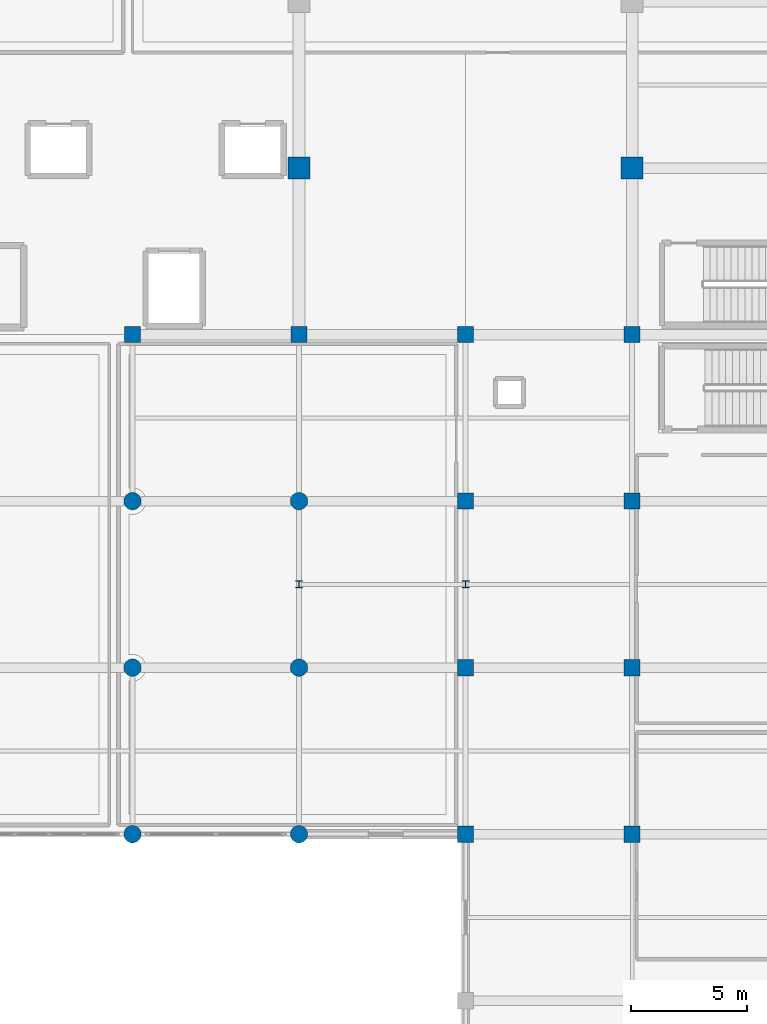
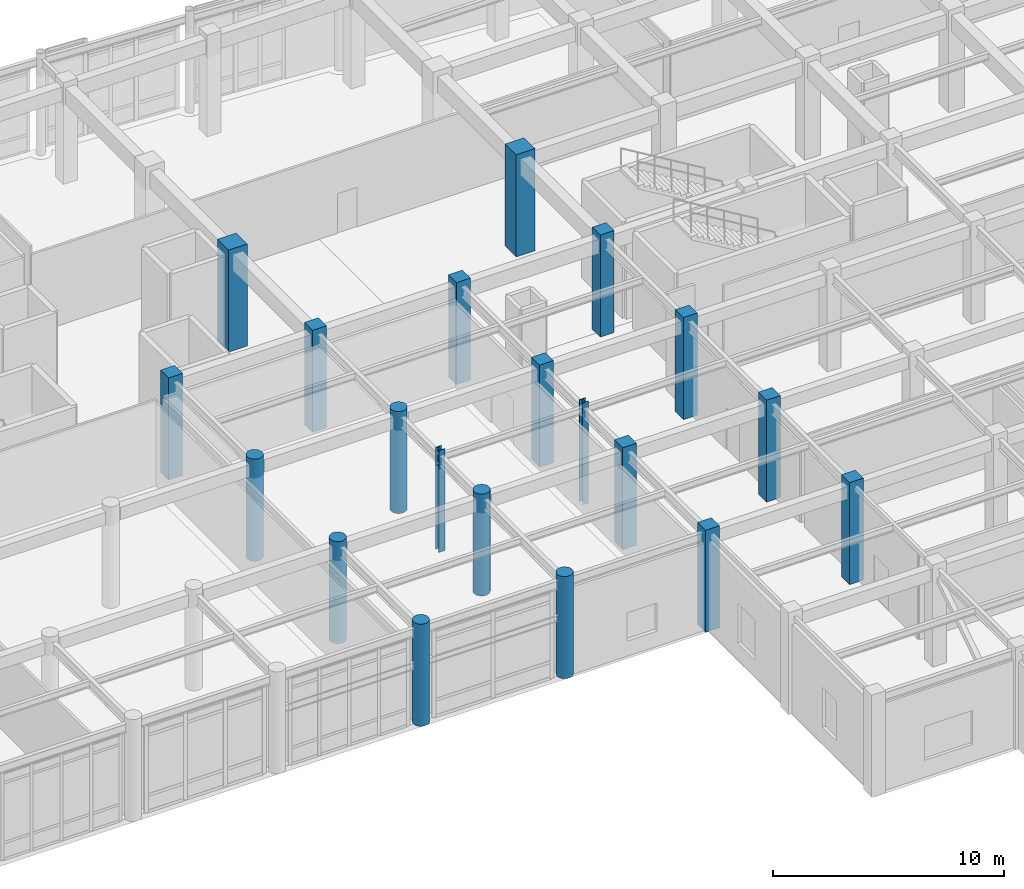
# One storey, part 10 of 102: 20 columns.
"""IFC4 building model written with IfcOpenShell, lengths in metres."""

from ifc_helpers import new_model, si_unit, direction, frame, origin, origin_2d, place, context, subcontext, project, spatial, rectangle, circle, i_section, extrude, material, material_profile, profile_set, type_object, element, save


model = new_model("IFC4")

# Units and contexts
model_context = context("Model", 3, precision=1e-05, world=origin(), true_north=direction((0.0, 1.0)))
body_context = subcontext(model_context, "Body", "Model", "MODEL_VIEW")
ifc_project = project(units=[si_unit("LENGTHUNIT", "METRE"), si_unit("AREAUNIT", "SQUARE_METRE"), si_unit("VOLUMEUNIT", "CUBIC_METRE"), si_unit("PLANEANGLEUNIT", "RADIAN"), si_unit("MASSUNIT", "GRAM", prefix="KILO")], contexts=[model_context])

# Site, building, storey
site_placement = place(None, origin())
site = spatial("IfcSite", under=ifc_project, at=site_placement, CompositionType="ELEMENT")
building_placement = place(site_placement, origin())
building = spatial("IfcBuilding", under=site, at=building_placement, Name="Carrowvane Square Congress Hotel", CompositionType="ELEMENT")
storey_placement = place(building_placement, origin())
storey = spatial("IfcBuildingStorey", under=building, at=storey_placement, Name="L00", CompositionType="ELEMENT", Elevation=0.0)

# Columns
ifc_material_1 = material(Name="Concrete C40/50", Category="concrete")
ifc_material_profile_1 = material_profile(ifc_material_1, rectangle(XDim=0.699951171875, YDim=0.699951171875, at=origin_2d()), Name="RC 700x700")
ifc_profile_set_1 = profile_set([ifc_material_profile_1], Name="Concrete C40/50")
column_type_1 = type_object("IfcColumnType", Name="COL-RC-700", PredefinedType="COLUMN", material=ifc_profile_set_1)
for number, where, z_axis, x_axis, name in (
    (1, (112.39990234375, 91.800048828125, 0.0), (0.0, 0.0, 1.0), (1.0, 0.0, 0.0), "L00 column 15/N"),
    (2, (119.60009765625, 91.800048828125, 0.0), (0.0, 0.0, 1.0), (1.0, 0.0, 0.0), "L00 column 16/N"),
    (3, (126.800048828125, 70.199951171875, 0.0), (0.0, 0.0, 1.0), (1.0, 0.0, 0.0), "L00 column 17/K"),
    (4, (126.800048828125, 77.39990234375, 0.0), (0.0, 0.0, 1.0), (1.0, 0.0, 0.0), "L00 column 17/L"),
    (5, (126.800048828125, 84.60009765625, 0.0), (0.0, 0.0, 1.0), (1.0, 0.0, 0.0), "L00 column 17/M"),
    (6, (126.800048828125, 91.800048828125, 0.0), (0.0, 0.0, 1.0), (1.0, 0.0, 0.0), "L00 column 17/N"),
    (7, (134.0, 70.199951171875, 0.0), (0.0, 0.0, 1.0), (1.0, 0.0, 0.0), "L00 column 18/K"),
    (8, (134.0, 77.39990234375, 0.0), (0.0, 0.0, 1.0), (1.0, 0.0, 0.0), "L00 column 18/L"),
    (9, (134.0, 84.60009765625, 0.0), (0.0, 0.0, 1.0), (1.0, 0.0, 0.0), "L00 column 18/M"),
    (10, (134.0, 91.800048828125, 0.0), (0.0, 0.0, 1.0), (1.0, 0.0, 0.0), "L00 column 18/N"),
):
    element("IfcColumn", number, at=place(storey_placement, frame(where, z_axis=z_axis, x_axis=x_axis)), inside=storey, type_object=column_type_1, Name=name, PredefinedType="COLUMN", context=body_context, shape_type="SweptSolid", body=[
        extrude(rectangle(XDim=0.699951171875, YDim=0.699951171875, at=origin_2d()), origin(), (0.0, 0.0, 1.0), 5.39990234375),
    ])
ifc_material_2 = material(Name="Concrete C40/50", Category="concrete")
ifc_material_profile_2 = material_profile(ifc_material_2, circle(Radius=0.375, at=origin_2d()), Name="RC D750")
ifc_profile_set_2 = profile_set([ifc_material_profile_2], Name="Concrete C40/50")
column_type_2 = type_object("IfcColumnType", Name="COL-RC-D750", PredefinedType="COLUMN", material=ifc_profile_set_2)
for number, where, z_axis, x_axis, name in (
    (11, (112.39990234375, 70.199951171875, 0.0), (0.0, 0.0, 1.0), (1.0, 0.0, 0.0), "L00 column 15/K"),
    (12, (112.39990234375, 77.39990234375, 0.0), (0.0, 0.0, 1.0), (1.0, 0.0, 0.0), "L00 column 15/L"),
    (13, (112.39990234375, 84.60009765625, 0.0), (0.0, 0.0, 1.0), (1.0, 0.0, 0.0), "L00 column 15/M"),
    (14, (119.60009765625, 70.199951171875, 0.0), (0.0, 0.0, 1.0), (1.0, 0.0, 0.0), "L00 column 16/K"),
    (15, (119.60009765625, 77.39990234375, 0.0), (0.0, 0.0, 1.0), (1.0, 0.0, 0.0), "L00 column 16/L"),
    (16, (119.60009765625, 84.60009765625, 0.0), (0.0, 0.0, 1.0), (1.0, 0.0, 0.0), "L00 column 16/M"),
):
    element("IfcColumn", number, at=place(storey_placement, frame(where, z_axis=z_axis, x_axis=x_axis)), inside=storey, type_object=column_type_2, Name=name, PredefinedType="COLUMN", context=body_context, shape_type="SweptSolid", body=[
        extrude(circle(Radius=0.375, at=origin_2d()), origin(), (0.0, 0.0, 1.0), 5.39990234375),
    ])
ifc_material_3 = material(Name="Steel S355", Category="steel")
ifc_material_profile_3 = material_profile(ifc_material_3, i_section(OverallWidth=0.300048828125, OverallDepth=0.300048828125, WebThickness=0.010986328125, FlangeThickness=0.01904296875, FilletRadius=0.027099609375, at=origin_2d()), Name="HEB 300")
ifc_profile_set_3 = profile_set([ifc_material_profile_3], Name="Steel S355")
column_type_3 = type_object("IfcColumnType", Name="COL-ST-HEB300", PredefinedType="COLUMN", material=ifc_profile_set_3)
for number, where, z_axis, x_axis, name in (
    (17, (119.60009765625, 81.0, 0.0), (0.0, 0.0, 1.0), (1.0, 0.0, 0.0), "L00 column V6X119/RG"),
    (18, (126.800048828125, 81.0, 0.0), (0.0, 0.0, 1.0), (1.0, 0.0, 0.0), "L00 column V6X126/RG"),
):
    element("IfcColumn", number, at=place(storey_placement, frame(where, z_axis=z_axis, x_axis=x_axis)), inside=storey, type_object=column_type_3, Name=name, PredefinedType="COLUMN", context=body_context, shape_type="SweptSolid", body=[
        extrude(i_section(OverallWidth=0.300048828125, OverallDepth=0.300048828125, WebThickness=0.010986328125, FlangeThickness=0.01904296875, FilletRadius=0.027099609375, at=origin_2d()), origin(), (0.0, 0.0, 1.0), 5.39990234375),
    ])
ifc_material_4 = material(Name="Concrete C40/50", Category="concrete")
ifc_material_profile_4 = material_profile(ifc_material_4, rectangle(XDim=0.949951171875, YDim=0.949951171875, at=origin_2d()), Name="RC 950x950")
ifc_profile_set_4 = profile_set([ifc_material_profile_4], Name="Concrete C40/50")
column_type_4 = type_object("IfcColumnType", Name="MCOL-RC-1000", PredefinedType="COLUMN", material=ifc_profile_set_4)
for number, where, z_axis, x_axis, name in (
    (19, (119.60009765625, 99.0, 0.0), (0.0, 0.0, 1.0), (1.0, 0.0, 0.0), "L00 column 16/P"),
    (20, (134.0, 99.0, 0.0), (0.0, 0.0, 1.0), (1.0, 0.0, 0.0), "L00 column 18/P"),
):
    element("IfcColumn", number, at=place(storey_placement, frame(where, z_axis=z_axis, x_axis=x_axis)), inside=storey, type_object=column_type_4, Name=name, PredefinedType="COLUMN", context=body_context, shape_type="SweptSolid", body=[
        extrude(rectangle(XDim=0.949951171875, YDim=0.949951171875, at=origin_2d()), origin(), (0.0, 0.0, 1.0), 5.39990234375),
    ])

save(model, "model.ifc")
